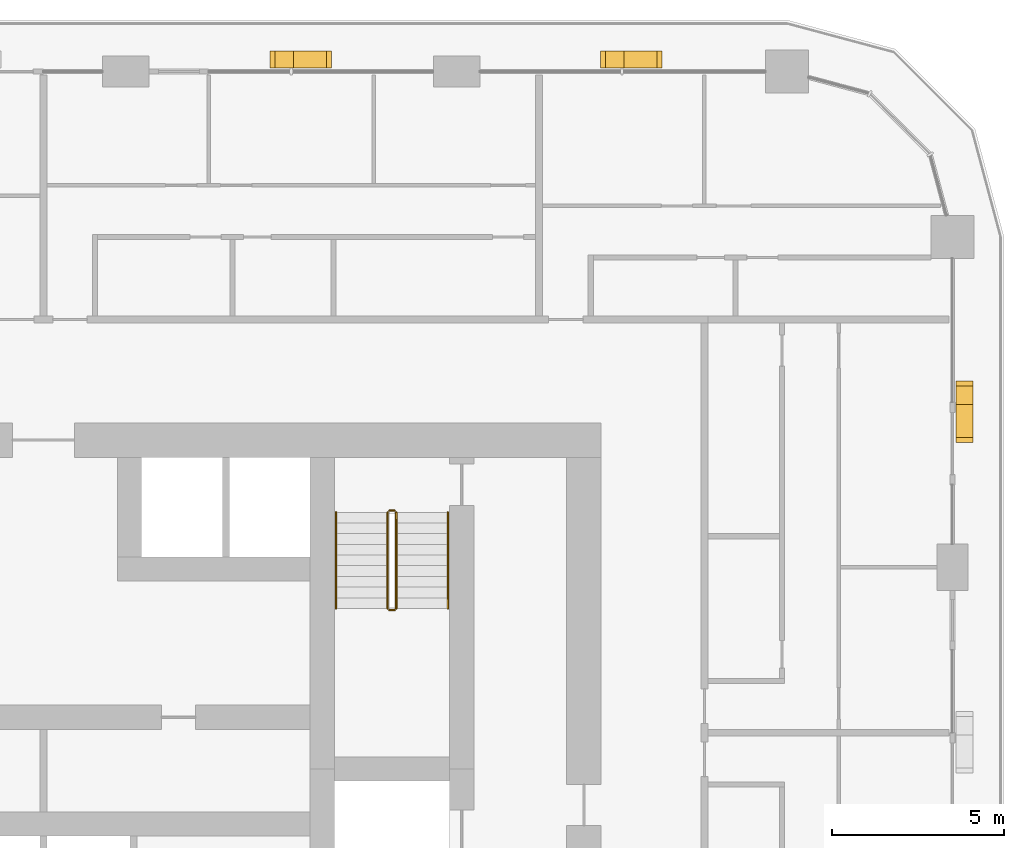
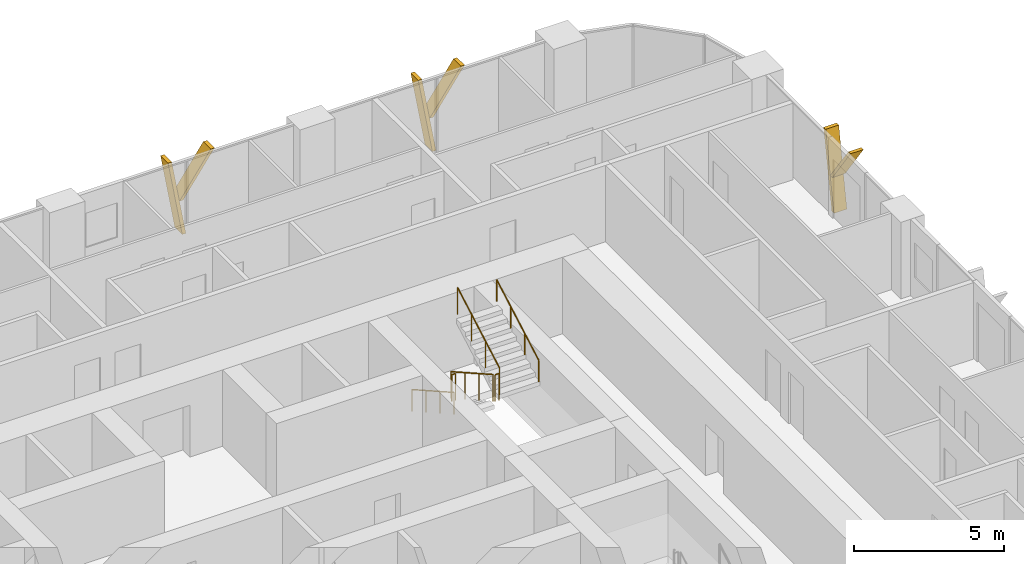
# One storey, part 21 of 21: 6 railings, 6 shading devices.
"""IFC4 building model written with IfcOpenShell, lengths in metres."""

import ifcopenshell
import ifcopenshell.guid

model = None  # the IFC model being written
_history = None  # IfcOwnerHistory: only IFC2X3 demands one
_inside = {}  # id of a spatial element -> (the spatial element, [elements in it])
_under = {}  # id of a project, library or spatial element -> (it, [spatial elements below it])
_declared = {}  # id of a project -> (the project, [libraries it declares])
_typed = {}  # id of a type object -> (the type object, [elements of that type])
_made_of = {}  # id of a material, layer set ... -> (it, [elements and type objects made of it])


def new_model(schema):
    """Start an empty IFC model of exactly this schema.

    Asked for "IFC4X3", IfcOpenShell would pick the latest addendum, in which some entities
    have other attributes; the version numbers below select the first issue.
    IFC2X3 requires an IfcOwnerHistory on every rooted entity: one is made here for all.
    """
    global model, _history
    if schema == "IFC4X3":
        model = ifcopenshell.file(schema_version=(4, 3, 0, 0))
    else:
        model = ifcopenshell.file(schema=schema)
    _inside.clear()
    _under.clear()
    _declared.clear()
    _typed.clear()
    _made_of.clear()
    _history = None
    if model.schema == "IFC2X3":
        org = make("IfcOrganization", Name="unknown")
        user = make(
            "IfcPersonAndOrganization",
            ThePerson=make("IfcPerson", FamilyName="unknown"),
            TheOrganization=org,
        )
        app = make(
            "IfcApplication",
            ApplicationDeveloper=org,
            Version="unknown",
            ApplicationFullName="unknown",
            ApplicationIdentifier="unknown",
        )
        _history = make(
            "IfcOwnerHistory",
            OwningUser=user,
            OwningApplication=app,
            ChangeAction="ADDED",
            CreationDate=0,
        )
    return model


def make(cls, **values):
    """One entity of the class cls with the attributes given. An attribute that is None is left unset."""
    return model.create_entity(
        cls, **{name: value for name, value in values.items() if value is not None}
    )


def rooted(cls, **values):
    """An entity with a GlobalId (a new one), such as an element, a storey or a relation."""
    return make(cls, GlobalId=ifcopenshell.guid.new(), OwnerHistory=_history, **values)


def si_unit(unit_type, name, prefix=None):
    """IfcSIUnit, for example si_unit("LENGTHUNIT", "METRE", prefix="MILLI")."""
    return make("IfcSIUnit", UnitType=unit_type, Prefix=prefix, Name=name)


def assignment(units):
    """IfcUnitAssignment: the units of a project."""
    return None if units is None else make("IfcUnitAssignment", Units=units)


def point(xyz):
    """IfcCartesianPoint."""
    return None if xyz is None else make("IfcCartesianPoint", Coordinates=xyz)


def direction(xyz):
    """IfcDirection."""
    return None if xyz is None else make("IfcDirection", DirectionRatios=xyz)


def frame(location, z_axis=None, x_axis=None):
    """IfcAxis2Placement3D, a coordinate frame: its origin and axes. An axis left out is left unset."""
    return make(
        "IfcAxis2Placement3D",
        Location=point(location),
        Axis=direction(z_axis),
        RefDirection=direction(x_axis),
    )


def frame_2d(location, x_axis=None):
    """IfcAxis2Placement2D, a coordinate frame in the plane: its origin and x axis."""
    return make(
        "IfcAxis2Placement2D", Location=point(location), RefDirection=direction(x_axis)
    )


def origin():
    """The frame at (0, 0, 0) with its axes left unset."""
    return frame((0.0, 0.0, 0.0))


def origin_2d():
    """The frame at (0, 0) in the plane with its x axis left unset."""
    return frame_2d((0.0, 0.0))


def place(relative_to, where):
    """IfcLocalPlacement: puts the frame where relative to a parent placement (None: the world)."""
    return make(
        "IfcLocalPlacement", PlacementRelTo=relative_to, RelativePlacement=where
    )


def context(
    kind, dimensions, precision=None, world=None, true_north=None, identifier=None
):
    """IfcGeometricRepresentationContext, for example the 3D "Model" context."""
    return make(
        "IfcGeometricRepresentationContext",
        ContextIdentifier=identifier,
        ContextType=kind,
        CoordinateSpaceDimension=dimensions,
        Precision=precision,
        WorldCoordinateSystem=world,
        TrueNorth=true_north,
    )


def subcontext(parent, identifier, kind, view, scale=None):
    """IfcGeometricRepresentationSubContext, for example "Body" below "Model"."""
    return make(
        "IfcGeometricRepresentationSubContext",
        ContextIdentifier=identifier,
        ContextType=kind,
        ParentContext=parent,
        TargetScale=scale,
        TargetView=view,
    )


def project(units=None, contexts=None):
    """IfcProject with its units and contexts."""
    return rooted(
        "IfcProject",
        Name="project",
        RepresentationContexts=contexts,
        UnitsInContext=assignment(units),
    )


def spatial(cls, under=None, at=None, **own):
    """A site, building, storey or space (cls), placed at a placement, below another one or the project."""
    s = rooted(cls, ObjectPlacement=at, **own)
    if under is not None:
        _under.setdefault(under.id(), (under, []))[1].append(s)
    return s


def polyline(points):
    """IfcPolyline through the points."""
    return make("IfcPolyline", Points=[point(p) for p in points])


def profile(cls, at=None, kind="AREA", **sizes):
    """A parametric profile (cls). Its sizes go by their IFC names, for example OverallWidth=200.0."""
    return make(cls, ProfileType=kind, Position=at, **sizes)


def circle(**sizes):
    """IfcCircleProfileDef."""
    return profile("IfcCircleProfileDef", **sizes)


def outline(outer, holes=None, kind="AREA"):
    """IfcArbitraryClosedProfileDef: a profile drawn as a closed curve; with holes, ...WithVoids."""
    if holes is None:
        return make("IfcArbitraryClosedProfileDef", ProfileType=kind, OuterCurve=outer)
    return make(
        "IfcArbitraryProfileDefWithVoids",
        ProfileType=kind,
        OuterCurve=outer,
        InnerCurves=holes,
    )


def extrude(swept, where, along, depth):
    """IfcExtrudedAreaSolid: the profile swept, set in the frame where, extruded along a direction by depth."""
    return make(
        "IfcExtrudedAreaSolid",
        SweptArea=swept,
        Position=where,
        ExtrudedDirection=direction(along),
        Depth=depth,
    )


def shape(context_of_items, identifier, shape_type, items):
    """IfcShapeRepresentation: the items that make up one representation, for example the "Body"."""
    return make(
        "IfcShapeRepresentation",
        ContextOfItems=context_of_items,
        RepresentationIdentifier=identifier,
        RepresentationType=shape_type,
        Items=items,
    )


def material(Name=None, Category=None):
    """IfcMaterial."""
    return make("IfcMaterial", Name=Name, Category=Category)


def made_of(thing, what):
    """Note that an element or type object is made of a material, layer set ...; save() writes the relation."""
    if what is not None:
        _made_of.setdefault(what.id(), (what, []))[1].append(thing)
    return thing


def type_object(cls, material=None, **own):
    """A type object (cls), such as IfcWallType, which elements share."""
    return made_of(rooted(cls, **own), material)


def element(
    cls,
    number,
    at=None,
    inside=None,
    cuts=None,
    type_object=None,
    material=None,
    context=None,
    identifier="Body",
    shape_type=None,
    held_by="IfcProductDefinitionShape",
    body=None,
    shapes=None,
    **own,
):
    """One element of the class cls, such as IfcWall. Its Tag is "e" and its number.

    at: its placement. inside: the storey or other place that contains it. cuts: it is an
    opening in that element (IfcRelVoidsElement). A single representation is given by context,
    identifier, shape_type and body (its items); several are given by shapes. held_by: the class
    of the entity that holds the representations. save() writes the other relations.
    """
    e = rooted(cls, Tag="e%d" % number, ObjectPlacement=at, **own)
    if body is not None:
        shapes = [shape(context, identifier, shape_type, body)]
    if shapes is not None:
        e.Representation = make(held_by, Representations=shapes)
    if inside is not None:
        _inside.setdefault(inside.id(), (inside, []))[1].append(e)
    if cuts is not None:
        rooted(
            "IfcRelVoidsElement", RelatingBuildingElement=cuts, RelatedOpeningElement=e
        )
    if type_object is not None:
        _typed.setdefault(type_object.id(), (type_object, []))[1].append(e)
    return made_of(e, material)


def aggregate(whole, parts):
    """IfcRelAggregates: a whole, such as a stair, and the parts it consists of."""
    return rooted("IfcRelAggregates", RelatingObject=whole, RelatedObjects=parts)


def save(model, path):
    """Write the relations noted so far, then the file.

    IfcRelAggregates (storeys below a building ...), IfcRelContainedInSpatialStructure (elements
    in a storey), IfcRelDefinesByType, IfcRelAssociatesMaterial and IfcRelDeclares: one each for
    every whole, place, type object, material and project.
    """
    for whole, parts in _under.values():
        aggregate(whole, parts)
    for where, things in _inside.values():
        rooted(
            "IfcRelContainedInSpatialStructure",
            RelatedElements=things,
            RelatingStructure=where,
        )
    for kind, things in _typed.values():
        rooted("IfcRelDefinesByType", RelatedObjects=things, RelatingType=kind)
    for what, things in _made_of.values():
        rooted("IfcRelAssociatesMaterial", RelatedObjects=things, RelatingMaterial=what)
    for by, libraries in _declared.values():
        rooted("IfcRelDeclares", RelatingContext=by, RelatedDefinitions=libraries)
    model.write(path)


model = new_model("IFC4")

# Units and contexts
model_context = context("Model", 3, precision=1e-05, world=origin(), true_north=direction((0.0, 1.0)))
body_context = subcontext(model_context, "Body", "Model", "MODEL_VIEW")
ifc_project = project(units=[si_unit("LENGTHUNIT", "METRE"), si_unit("AREAUNIT", "SQUARE_METRE"), si_unit("VOLUMEUNIT", "CUBIC_METRE"), si_unit("PLANEANGLEUNIT", "RADIAN"), si_unit("MASSUNIT", "GRAM", prefix="KILO")], contexts=[model_context])

# Site, building, storey
site_placement = place(None, origin())
site = spatial("IfcSite", under=ifc_project, at=site_placement, CompositionType="ELEMENT")
building_placement = place(site_placement, origin())
building = spatial("IfcBuilding", under=site, at=building_placement, Name="Madar Terraces", CompositionType="ELEMENT")
storey_placement = place(building_placement, frame((0.0, 0.0, 50.39990234375)))
storey = spatial("IfcBuildingStorey", under=building, at=storey_placement, Name="L12", CompositionType="ELEMENT", Elevation=50.39990234375)

# Shading devices
ifc_material_1 = material(Name="Aluminium, black anodised", Category="aluminium")
shading_device_type = type_object("IfcShadingDeviceType", Name="Facade fin blade 140 x 500", PredefinedType="USERDEFINED", material=ifc_material_1)
shading_device_1_placement = place(storey_placement, frame((57.949951171875, 38.330078125, 0.0), z_axis=(0.0, 0.0, 1.0), x_axis=(0.0, 1.0, 0.0)))
element("IfcShadingDevice", 1, at=shading_device_1_placement, inside=storey, type_object=shading_device_type, Name="FIN L12 E4", ObjectType="FIN", PredefinedType="USERDEFINED", context=body_context, shape_type="SweptSolid", body=[
    extrude(outline(polyline([(0.0, 0.0), (0.139892578125, 0.0), (0.68310546875, 3.080078125), (0.54296875, 3.080078125), (0.0, 0.0)])), frame((0.0, 0.25, 0.0), z_axis=(0.0, -1.0, 0.0), x_axis=(1.0, 0.0, 0.0)), (0.0, 0.0, 1.0), 0.5),
])
shading_device_2_placement = place(storey_placement, frame((57.949951171875, 38.434326171875, 1.385986328125), z_axis=(0.0, 0.0, 1.0), x_axis=(0.0, 1.0, 0.0)))
element("IfcShadingDevice", 2, at=shading_device_2_placement, inside=storey, type_object=shading_device_type, Name="FIN L12 E4 branch", ObjectType="FIN", PredefinedType="USERDEFINED", context=body_context, shape_type="SweptSolid", body=[
    extrude(outline(polyline([(0.0, 0.0), (0.14013671875, 0.0), (-1.061279296875, 1.694091796875), (-1.201416015625, 1.694091796875), (0.0, 0.0)])), frame((0.0, 0.25, 0.0), z_axis=(0.0, -1.0, 0.0), x_axis=(1.0, 0.0, 0.0)), (0.0, 0.0, 1.0), 0.5),
])
shading_device_3_placement = place(storey_placement, frame((48.070068359375, 48.35009765625, 0.0), z_axis=(0.0, 0.0, 1.0), x_axis=(-1.0, 0.0, 0.0)))
element("IfcShadingDevice", 3, at=shading_device_3_placement, inside=storey, type_object=shading_device_type, Name="FIN L12 N1", ObjectType="FIN", PredefinedType="USERDEFINED", context=body_context, shape_type="SweptSolid", body=[
    extrude(outline(polyline([(0.0, 0.0), (0.14013671875, 0.0), (0.68310546875, 3.080078125), (0.54296875, 3.080078125), (0.0, 0.0)])), frame((0.0, 0.25, 0.0), z_axis=(0.0, -1.0, 0.0), x_axis=(1.0, 0.0, 0.0)), (0.0, 0.0, 1.0), 0.5),
])
shading_device_4_placement = place(storey_placement, frame((47.965576171875, 48.35009765625, 1.385986328125), z_axis=(0.0, 0.0, 1.0), x_axis=(-1.0, 0.0, 0.0)))
element("IfcShadingDevice", 4, at=shading_device_4_placement, inside=storey, type_object=shading_device_type, Name="FIN L12 N1 branch", ObjectType="FIN", PredefinedType="USERDEFINED", context=body_context, shape_type="SweptSolid", body=[
    extrude(outline(polyline([(0.0, 0.0), (0.139892578125, 0.0), (-1.061279296875, 1.694091796875), (-1.201416015625, 1.694091796875), (0.0, 0.0)])), frame((0.0, 0.25, 0.0), z_axis=(0.0, -1.0, 0.0), x_axis=(1.0, 0.0, 0.0)), (0.0, 0.0, 1.0), 0.5),
])
shading_device_5_placement = place(storey_placement, frame((38.469970703125, 48.35009765625, 0.0), z_axis=(0.0, 0.0, 1.0), x_axis=(-1.0, 0.0, 0.0)))
element("IfcShadingDevice", 5, at=shading_device_5_placement, inside=storey, type_object=shading_device_type, Name="FIN L12 N2", ObjectType="FIN", PredefinedType="USERDEFINED", context=body_context, shape_type="SweptSolid", body=[
    extrude(outline(polyline([(0.0, 0.0), (0.139892578125, 0.0), (0.68310546875, 3.080078125), (0.54296875, 3.080078125), (0.0, 0.0)])), frame((0.0, 0.25, 0.0), z_axis=(0.0, -1.0, 0.0), x_axis=(1.0, 0.0, 0.0)), (0.0, 0.0, 1.0), 0.5),
])
shading_device_6_placement = place(storey_placement, frame((38.36572265625, 48.35009765625, 1.385986328125), z_axis=(0.0, 0.0, 1.0), x_axis=(-1.0, 0.0, 0.0)))
element("IfcShadingDevice", 6, at=shading_device_6_placement, inside=storey, type_object=shading_device_type, Name="FIN L12 N2 branch", ObjectType="FIN", PredefinedType="USERDEFINED", context=body_context, shape_type="SweptSolid", body=[
    extrude(outline(polyline([(0.0, 0.0), (0.14013671875, 0.0), (-1.061279296875, 1.694091796875), (-1.201416015625, 1.694091796875), (0.0, 0.0)])), frame((0.0, 0.25, 0.0), z_axis=(0.0, -1.0, 0.0), x_axis=(1.0, 0.0, 0.0)), (0.0, 0.0, 1.0), 0.5),
])

# Railings
ifc_material_2 = material(Name="Stainless steel railing", Category="steel")
railing_type_1 = type_object("IfcRailingType", Name="Stair guard 1100", PredefinedType="GUARDRAIL", material=ifc_material_2)
railing_1_placement = place(storey_placement, frame((41.199951171875, 35.199951171875, 0.175048828125)))
element("IfcRailing", 7, at=railing_1_placement, inside=storey, type_object=railing_type_1, Name="L12 ST2 stair guard 1", PredefinedType="GUARDRAIL", context=body_context, shape_type="SweptSolid", body=[
    extrude(circle(Radius=0.02392578125, at=origin_2d()), frame((0.0, 0.0, 1.076171875), z_axis=(0.0, -0.870833779661, 0.491577591232), x_axis=(1.0, 0.0, 0.0)), (0.0, 0.0, 1.0), 3.203857421875),
    extrude(circle(Radius=0.02099609375, at=origin_2d()), origin(), (0.0, 0.0, 1.0), 1.052001953125),
    extrude(circle(Radius=0.02099609375, at=origin_2d()), frame((0.0, -0.929931640625, 0.52490234375)), (0.0, 0.0, 1.0), 1.052001953125),
    extrude(circle(Radius=0.02099609375, at=origin_2d()), frame((0.0, -1.860107421875, 1.050048828125)), (0.0, 0.0, 1.0), 1.052001953125),
    extrude(circle(Radius=0.02099609375, at=origin_2d()), frame((0.0, -2.7900390625, 1.574951171875)), (0.0, 0.0, 1.0), 1.052001953125),
])
railing_2_placement = place(storey_placement, frame((41.25, 32.360107421875, 1.75)))
element("IfcRailing", 8, at=railing_2_placement, inside=storey, type_object=railing_type_1, Name="L12 ST2 stair guard 2", PredefinedType="GUARDRAIL", context=body_context, shape_type="SweptSolid", body=[
    extrude(circle(Radius=0.02392578125, at=origin_2d()), frame((0.0, 0.0, 1.076171875), z_axis=(1.0, 0.0, 0.0), x_axis=(0.0, 1.0, 0.0)), (0.0, 0.0, 1.0), 0.14990234375),
    extrude(circle(Radius=0.02099609375, at=origin_2d()), origin(), (0.0, 0.0, 1.0), 1.052001953125),
    extrude(circle(Radius=0.02099609375, at=origin_2d()), frame((0.14990234375, 0.0, 0.0)), (0.0, 0.0, 1.0), 1.052001953125),
])
railing_3_placement = place(storey_placement, frame((41.449951171875, 32.409912109375, 1.925048828125)))
element("IfcRailing", 9, at=railing_3_placement, inside=storey, type_object=railing_type_1, Name="L12 ST2 stair guard 3", PredefinedType="GUARDRAIL", context=body_context, shape_type="SweptSolid", body=[
    extrude(circle(Radius=0.02392578125, at=origin_2d()), frame((0.0, 0.0, 1.076171875), z_axis=(0.0, 0.870833779661, 0.491577591232), x_axis=(-1.0, 0.0, 0.0)), (0.0, 0.0, 1.0), 3.203857421875),
    extrude(circle(Radius=0.02099609375, at=origin_2d()), origin(), (0.0, 0.0, 1.0), 1.052001953125),
    extrude(circle(Radius=0.02099609375, at=origin_2d()), frame((0.0, 0.929931640625, 0.52490234375)), (0.0, 0.0, 1.0), 1.052001953125),
    extrude(circle(Radius=0.02099609375, at=origin_2d()), frame((0.0, 1.860107421875, 1.050048828125)), (0.0, 0.0, 1.0), 1.052001953125),
    extrude(circle(Radius=0.02099609375, at=origin_2d()), frame((0.0, 2.7900390625, 1.574951171875)), (0.0, 0.0, 1.0), 1.052001953125),
])
railing_4_placement = place(storey_placement, frame((41.25, 35.25, 0.0)))
element("IfcRailing", 10, at=railing_4_placement, inside=storey, type_object=railing_type_1, Name="L12 ST2 stair guard 4", PredefinedType="GUARDRAIL", context=body_context, shape_type="SweptSolid", body=[
    extrude(circle(Radius=0.02392578125, at=origin_2d()), frame((0.0, 0.0, 1.076171875), z_axis=(1.0, 0.0, 0.0), x_axis=(0.0, 1.0, 0.0)), (0.0, 0.0, 1.0), 0.14990234375),
    extrude(circle(Radius=0.02099609375, at=origin_2d()), origin(), (0.0, 0.0, 1.0), 1.052001953125),
    extrude(circle(Radius=0.02099609375, at=origin_2d()), frame((0.14990234375, 0.0, 0.0)), (0.0, 0.0, 1.0), 1.052001953125),
])
ifc_material_3 = material(Name="Stainless steel railing", Category="steel")
railing_type_2 = type_object("IfcRailingType", Name="Stair handrail 900", PredefinedType="HANDRAIL", material=ifc_material_3)
railing_5_placement = place(storey_placement, frame((39.699951171875, 35.199951171875, 0.175048828125)))
element("IfcRailing", 11, at=railing_5_placement, inside=storey, type_object=railing_type_2, Name="L12 ST2 stair handrail 1", PredefinedType="HANDRAIL", context=body_context, shape_type="SweptSolid", body=[
    extrude(circle(Radius=0.02392578125, at=origin_2d()), frame((0.0, 0.0, 0.8759765625), z_axis=(0.0, -0.870833779661, 0.491577591232), x_axis=(1.0, 0.0, 0.0)), (0.0, 0.0, 1.0), 3.203857421875),
    extrude(circle(Radius=0.02099609375, at=origin_2d()), origin(), (0.0, 0.0, 1.0), 0.851806640625),
    extrude(circle(Radius=0.02099609375, at=origin_2d()), frame((0.0, -0.929931640625, 0.52490234375)), (0.0, 0.0, 1.0), 0.851806640625),
    extrude(circle(Radius=0.02099609375, at=origin_2d()), frame((0.0, -1.860107421875, 1.050048828125)), (0.0, 0.0, 1.0), 0.851806640625),
    extrude(circle(Radius=0.02099609375, at=origin_2d()), frame((0.0, -2.7900390625, 1.574951171875)), (0.0, 0.0, 1.0), 0.851806640625),
])
railing_6_placement = place(storey_placement, frame((42.949951171875, 32.409912109375, 1.925048828125)))
element("IfcRailing", 12, at=railing_6_placement, inside=storey, type_object=railing_type_2, Name="L12 ST2 stair handrail 2", PredefinedType="HANDRAIL", context=body_context, shape_type="SweptSolid", body=[
    extrude(circle(Radius=0.02392578125, at=origin_2d()), frame((0.0, 0.0, 0.8759765625), z_axis=(0.0, 0.870833779661, 0.491577591232), x_axis=(-1.0, 0.0, 0.0)), (0.0, 0.0, 1.0), 3.203857421875),
    extrude(circle(Radius=0.02099609375, at=origin_2d()), origin(), (0.0, 0.0, 1.0), 0.851806640625),
    extrude(circle(Radius=0.02099609375, at=origin_2d()), frame((0.0, 0.929931640625, 0.52490234375)), (0.0, 0.0, 1.0), 0.851806640625),
    extrude(circle(Radius=0.02099609375, at=origin_2d()), frame((0.0, 1.860107421875, 1.050048828125)), (0.0, 0.0, 1.0), 0.851806640625),
    extrude(circle(Radius=0.02099609375, at=origin_2d()), frame((0.0, 2.7900390625, 1.574951171875)), (0.0, 0.0, 1.0), 0.851806640625),
])

save(model, "model.ifc")
